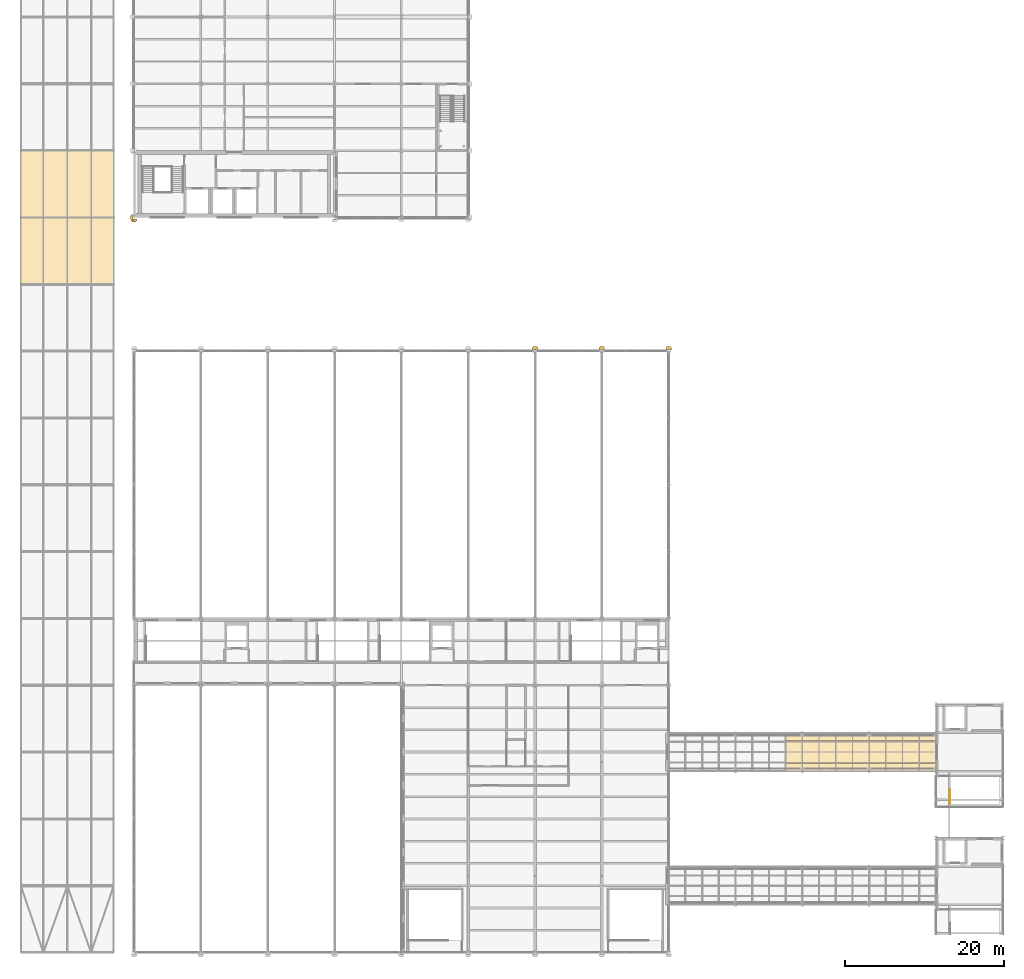
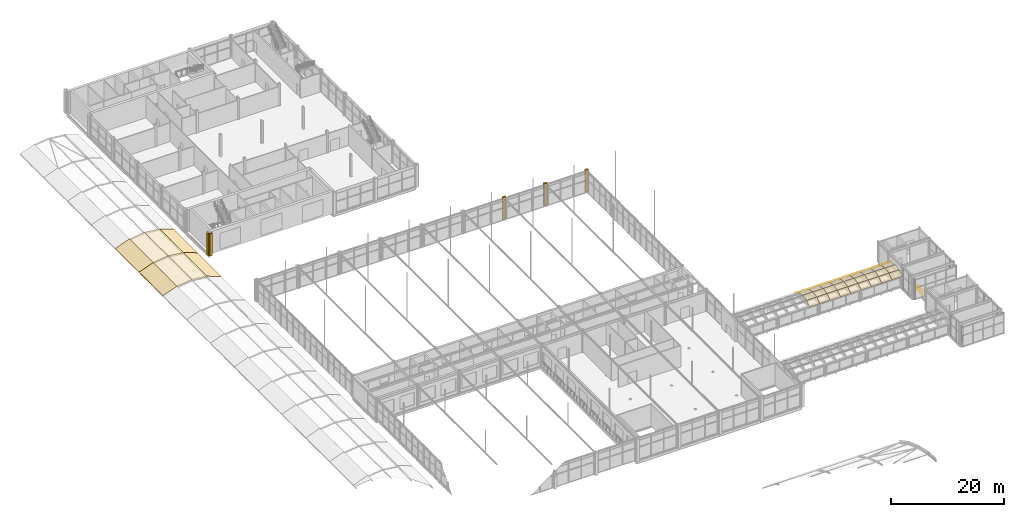
# One storey, part 162 of 167: 49 coverings, 1 railing.
"""IFC4 building model written with IfcOpenShell, lengths in metres."""

import ifcopenshell
import ifcopenshell.guid

model = None  # the IFC model being written
_history = None  # IfcOwnerHistory: only IFC2X3 demands one
_inside = {}  # id of a spatial element -> (the spatial element, [elements in it])
_under = {}  # id of a project, library or spatial element -> (it, [spatial elements below it])
_declared = {}  # id of a project -> (the project, [libraries it declares])
_typed = {}  # id of a type object -> (the type object, [elements of that type])
_made_of = {}  # id of a material, layer set ... -> (it, [elements and type objects made of it])


def new_model(schema):
    """Start an empty IFC model of exactly this schema.

    Asked for "IFC4X3", IfcOpenShell would pick the latest addendum, in which some entities
    have other attributes; the version numbers below select the first issue.
    IFC2X3 requires an IfcOwnerHistory on every rooted entity: one is made here for all.
    """
    global model, _history
    if schema == "IFC4X3":
        model = ifcopenshell.file(schema_version=(4, 3, 0, 0))
    else:
        model = ifcopenshell.file(schema=schema)
    _inside.clear()
    _under.clear()
    _declared.clear()
    _typed.clear()
    _made_of.clear()
    _history = None
    if model.schema == "IFC2X3":
        org = make("IfcOrganization", Name="unknown")
        user = make(
            "IfcPersonAndOrganization",
            ThePerson=make("IfcPerson", FamilyName="unknown"),
            TheOrganization=org,
        )
        app = make(
            "IfcApplication",
            ApplicationDeveloper=org,
            Version="unknown",
            ApplicationFullName="unknown",
            ApplicationIdentifier="unknown",
        )
        _history = make(
            "IfcOwnerHistory",
            OwningUser=user,
            OwningApplication=app,
            ChangeAction="ADDED",
            CreationDate=0,
        )
    return model


def make(cls, **values):
    """One entity of the class cls with the attributes given. An attribute that is None is left unset."""
    return model.create_entity(
        cls, **{name: value for name, value in values.items() if value is not None}
    )


def rooted(cls, **values):
    """An entity with a GlobalId (a new one), such as an element, a storey or a relation."""
    return make(cls, GlobalId=ifcopenshell.guid.new(), OwnerHistory=_history, **values)


def si_unit(unit_type, name, prefix=None):
    """IfcSIUnit, for example si_unit("LENGTHUNIT", "METRE", prefix="MILLI")."""
    return make("IfcSIUnit", UnitType=unit_type, Prefix=prefix, Name=name)


def assignment(units):
    """IfcUnitAssignment: the units of a project."""
    return None if units is None else make("IfcUnitAssignment", Units=units)


def point(xyz):
    """IfcCartesianPoint."""
    return None if xyz is None else make("IfcCartesianPoint", Coordinates=xyz)


def direction(xyz):
    """IfcDirection."""
    return None if xyz is None else make("IfcDirection", DirectionRatios=xyz)


def frame(location, z_axis=None, x_axis=None):
    """IfcAxis2Placement3D, a coordinate frame: its origin and axes. An axis left out is left unset."""
    return make(
        "IfcAxis2Placement3D",
        Location=point(location),
        Axis=direction(z_axis),
        RefDirection=direction(x_axis),
    )


def frame_2d(location, x_axis=None):
    """IfcAxis2Placement2D, a coordinate frame in the plane: its origin and x axis."""
    return make(
        "IfcAxis2Placement2D", Location=point(location), RefDirection=direction(x_axis)
    )


def origin():
    """The frame at (0, 0, 0) with its axes left unset."""
    return frame((0.0, 0.0, 0.0))


def origin_2d():
    """The frame at (0, 0) in the plane with its x axis left unset."""
    return frame_2d((0.0, 0.0))


def place(relative_to, where):
    """IfcLocalPlacement: puts the frame where relative to a parent placement (None: the world)."""
    return make(
        "IfcLocalPlacement", PlacementRelTo=relative_to, RelativePlacement=where
    )


def context(
    kind, dimensions, precision=None, world=None, true_north=None, identifier=None
):
    """IfcGeometricRepresentationContext, for example the 3D "Model" context."""
    return make(
        "IfcGeometricRepresentationContext",
        ContextIdentifier=identifier,
        ContextType=kind,
        CoordinateSpaceDimension=dimensions,
        Precision=precision,
        WorldCoordinateSystem=world,
        TrueNorth=true_north,
    )


def subcontext(parent, identifier, kind, view, scale=None):
    """IfcGeometricRepresentationSubContext, for example "Body" below "Model"."""
    return make(
        "IfcGeometricRepresentationSubContext",
        ContextIdentifier=identifier,
        ContextType=kind,
        ParentContext=parent,
        TargetScale=scale,
        TargetView=view,
    )


def project(units=None, contexts=None):
    """IfcProject with its units and contexts."""
    return rooted(
        "IfcProject",
        Name="project",
        RepresentationContexts=contexts,
        UnitsInContext=assignment(units),
    )


def spatial(cls, under=None, at=None, **own):
    """A site, building, storey or space (cls), placed at a placement, below another one or the project."""
    s = rooted(cls, ObjectPlacement=at, **own)
    if under is not None:
        _under.setdefault(under.id(), (under, []))[1].append(s)
    return s


def polyline(points):
    """IfcPolyline through the points."""
    return make("IfcPolyline", Points=[point(p) for p in points])


def profile(cls, at=None, kind="AREA", **sizes):
    """A parametric profile (cls). Its sizes go by their IFC names, for example OverallWidth=200.0."""
    return make(cls, ProfileType=kind, Position=at, **sizes)


def circle(**sizes):
    """IfcCircleProfileDef."""
    return profile("IfcCircleProfileDef", **sizes)


def outline(outer, holes=None, kind="AREA"):
    """IfcArbitraryClosedProfileDef: a profile drawn as a closed curve; with holes, ...WithVoids."""
    if holes is None:
        return make("IfcArbitraryClosedProfileDef", ProfileType=kind, OuterCurve=outer)
    return make(
        "IfcArbitraryProfileDefWithVoids",
        ProfileType=kind,
        OuterCurve=outer,
        InnerCurves=holes,
    )


def extrude(swept, where, along, depth):
    """IfcExtrudedAreaSolid: the profile swept, set in the frame where, extruded along a direction by depth."""
    return make(
        "IfcExtrudedAreaSolid",
        SweptArea=swept,
        Position=where,
        ExtrudedDirection=direction(along),
        Depth=depth,
    )


def shape(context_of_items, identifier, shape_type, items):
    """IfcShapeRepresentation: the items that make up one representation, for example the "Body"."""
    return make(
        "IfcShapeRepresentation",
        ContextOfItems=context_of_items,
        RepresentationIdentifier=identifier,
        RepresentationType=shape_type,
        Items=items,
    )


def material(Name=None, Category=None):
    """IfcMaterial."""
    return make("IfcMaterial", Name=Name, Category=Category)


def layer(
    of_material, thickness, ventilated=None, Name=None, Category=None, Priority=None
):
    """IfcMaterialLayer: one layer of a wall or slab, of a material (None: an air gap)."""
    return make(
        "IfcMaterialLayer",
        Material=of_material,
        LayerThickness=thickness,
        IsVentilated=ventilated,
        Name=Name,
        Category=Category,
        Priority=Priority,
    )


def layer_set(layers, Name=None):
    """IfcMaterialLayerSet."""
    return make("IfcMaterialLayerSet", MaterialLayers=layers, LayerSetName=Name)


def made_of(thing, what):
    """Note that an element or type object is made of a material, layer set ...; save() writes the relation."""
    if what is not None:
        _made_of.setdefault(what.id(), (what, []))[1].append(thing)
    return thing


def type_object(cls, material=None, **own):
    """A type object (cls), such as IfcWallType, which elements share."""
    return made_of(rooted(cls, **own), material)


def element(
    cls,
    number,
    at=None,
    inside=None,
    cuts=None,
    type_object=None,
    material=None,
    context=None,
    identifier="Body",
    shape_type=None,
    held_by="IfcProductDefinitionShape",
    body=None,
    shapes=None,
    **own,
):
    """One element of the class cls, such as IfcWall. Its Tag is "e" and its number.

    at: its placement. inside: the storey or other place that contains it. cuts: it is an
    opening in that element (IfcRelVoidsElement). A single representation is given by context,
    identifier, shape_type and body (its items); several are given by shapes. held_by: the class
    of the entity that holds the representations. save() writes the other relations.
    """
    e = rooted(cls, Tag="e%d" % number, ObjectPlacement=at, **own)
    if body is not None:
        shapes = [shape(context, identifier, shape_type, body)]
    if shapes is not None:
        e.Representation = make(held_by, Representations=shapes)
    if inside is not None:
        _inside.setdefault(inside.id(), (inside, []))[1].append(e)
    if cuts is not None:
        rooted(
            "IfcRelVoidsElement", RelatingBuildingElement=cuts, RelatedOpeningElement=e
        )
    if type_object is not None:
        _typed.setdefault(type_object.id(), (type_object, []))[1].append(e)
    return made_of(e, material)


def aggregate(whole, parts):
    """IfcRelAggregates: a whole, such as a stair, and the parts it consists of."""
    return rooted("IfcRelAggregates", RelatingObject=whole, RelatedObjects=parts)


def save(model, path):
    """Write the relations noted so far, then the file.

    IfcRelAggregates (storeys below a building ...), IfcRelContainedInSpatialStructure (elements
    in a storey), IfcRelDefinesByType, IfcRelAssociatesMaterial and IfcRelDeclares: one each for
    every whole, place, type object, material and project.
    """
    for whole, parts in _under.values():
        aggregate(whole, parts)
    for where, things in _inside.values():
        rooted(
            "IfcRelContainedInSpatialStructure",
            RelatedElements=things,
            RelatingStructure=where,
        )
    for kind, things in _typed.values():
        rooted("IfcRelDefinesByType", RelatedObjects=things, RelatingType=kind)
    for what, things in _made_of.values():
        rooted("IfcRelAssociatesMaterial", RelatedObjects=things, RelatingMaterial=what)
    for by, libraries in _declared.values():
        rooted("IfcRelDeclares", RelatingContext=by, RelatedDefinitions=libraries)
    model.write(path)


model = new_model("IFC4")

# Units and contexts
model_context = context("Model", 3, precision=1e-05, world=origin(), true_north=direction((0.0, 1.0)))
body_context = subcontext(model_context, "Body", "Model", "MODEL_VIEW")
ifc_project = project(units=[si_unit("LENGTHUNIT", "METRE"), si_unit("AREAUNIT", "SQUARE_METRE"), si_unit("VOLUMEUNIT", "CUBIC_METRE"), si_unit("PLANEANGLEUNIT", "RADIAN"), si_unit("MASSUNIT", "GRAM", prefix="KILO")], contexts=[model_context])

# Site, building, storey
site_placement = place(None, origin())
site = spatial("IfcSite", under=ifc_project, at=site_placement, CompositionType="ELEMENT")
building_placement = place(site_placement, origin())
building = spatial("IfcBuilding", under=site, at=building_placement, Name="Catenary Quay Ferry Terminal", CompositionType="ELEMENT")
storey_placement = place(building_placement, frame((0.0, 0.0, 6.0)))
storey = spatial("IfcBuildingStorey", under=building, at=storey_placement, Name="L01", CompositionType="ELEMENT", Elevation=6.0)

# Coverings
ifc_material_1 = material(Name="Ceramic tile")
ifc_layer_1 = layer(ifc_material_1, 0.0400390625)
ifc_layer_set_1 = layer_set([ifc_layer_1], Name="CL2")
covering_type_1 = type_object("IfcCoveringType", Name="CL2", PredefinedType="CLADDING", material=ifc_layer_set_1)
covering_1_placement = place(storey_placement, origin())
element("IfcCovering", 1, at=covering_1_placement, inside=storey, type_object=covering_type_1, Name="Ceramic pier casing", PredefinedType="CLADDING", context=body_context, shape_type="SweptSolid", body=[
    extrude(outline(polyline([(25.050048828125, 159.949951171875), (24.8701171875, 159.949951171875), (24.8701171875, 159.85009765625), (24.75, 159.85009765625), (24.75, 159.35009765625), (24.8701171875, 159.35009765625), (24.8701171875, 159.25), (25.050048828125, 159.25), (25.050048828125, 159.949951171875)])), origin(), (0.0, 0.0, 1.0), 4.800048828125),
])
covering_2_placement = place(storey_placement, origin())
element("IfcCovering", 2, at=covering_2_placement, inside=storey, type_object=covering_type_1, Name="Ceramic pier casing", PredefinedType="CLADDING", context=body_context, shape_type="SweptSolid", body=[
    extrude(outline(polyline([(24.85009765625, 159.35009765625), (24.85009765625, 159.169921875), (24.949951171875, 159.169921875), (24.949951171875, 159.050048828125), (25.449951171875, 159.050048828125), (25.449951171875, 159.169921875), (25.550048828125, 159.169921875), (25.550048828125, 159.35009765625), (24.85009765625, 159.35009765625)])), origin(), (0.0, 0.0, 1.0), 4.800048828125),
])
covering_3_placement = place(storey_placement, origin())
element("IfcCovering", 3, at=covering_3_placement, inside=storey, type_object=covering_type_1, Name="Ceramic pier casing", PredefinedType="CLADDING", context=body_context, shape_type="SweptSolid", body=[
    extrude(outline(polyline([(75.9541015625, 142.9541015625), (75.9541015625, 143.23388671875), (75.85400390625, 143.23388671875), (75.85400390625, 143.35400390625), (75.345947265625, 143.35400390625), (75.345947265625, 143.23388671875), (75.24609375, 143.23388671875), (75.24609375, 142.9541015625), (75.9541015625, 142.9541015625)])), origin(), (0.0, 0.0, 1.0), 4.800048828125),
])
covering_4_placement = place(storey_placement, origin())
element("IfcCovering", 4, at=covering_4_placement, inside=storey, type_object=covering_type_1, Name="Ceramic pier casing", PredefinedType="CLADDING", context=body_context, shape_type="SweptSolid", body=[
    extrude(outline(polyline([(84.35400390625, 142.9541015625), (84.35400390625, 143.23388671875), (84.25390625, 143.23388671875), (84.25390625, 143.35400390625), (83.74609375, 143.35400390625), (83.74609375, 143.23388671875), (83.64599609375, 143.23388671875), (83.64599609375, 142.9541015625), (84.35400390625, 142.9541015625)])), origin(), (0.0, 0.0, 1.0), 4.800048828125),
])
covering_5_placement = place(storey_placement, origin())
element("IfcCovering", 5, at=covering_5_placement, inside=storey, type_object=covering_type_1, Name="Ceramic pier casing", PredefinedType="CLADDING", context=body_context, shape_type="SweptSolid", body=[
    extrude(outline(polyline([(92.75390625, 142.9541015625), (92.75390625, 143.23388671875), (92.654052734375, 143.23388671875), (92.654052734375, 143.35400390625), (92.14599609375, 143.35400390625), (92.14599609375, 143.23388671875), (92.0458984375, 143.23388671875), (92.0458984375, 142.9541015625), (92.75390625, 142.9541015625)])), origin(), (0.0, 0.0, 1.0), 4.800048828125),
])

# Railing
ifc_material_2 = material(Name="Steel and glass", Category="steel")
railing_type = type_object("IfcRailingType", Name="GI1", PredefinedType="GUARDRAIL", material=ifc_material_2)
railing_placement = place(storey_placement, frame((127.800048828125, 85.89990234375, 0.0)))
element("IfcRailing", 6, at=railing_placement, inside=storey, type_object=railing_type, Name="HB2 well guard GI60", PredefinedType="GUARDRAIL", context=body_context, shape_type="SweptSolid", body=[
    extrude(circle(Radius=0.02392578125, at=origin_2d()), frame((0.0, 0.0, 1.076171875), z_axis=(0.0, 1.0, 0.0), x_axis=(-1.0, 0.0, 0.0)), (0.0, 0.0, 1.0), 1.800048828125),
    extrude(circle(Radius=0.02099609375, at=origin_2d()), origin(), (0.0, 0.0, 1.0), 1.052001953125),
    extrude(circle(Radius=0.02099609375, at=origin_2d()), frame((0.0, 0.89990234375, 0.0)), (0.0, 0.0, 1.0), 1.052001953125),
    extrude(circle(Radius=0.02099609375, at=origin_2d()), frame((0.0, 1.800048828125, 0.0)), (0.0, 0.0, 1.0), 1.052001953125),
])

# Coverings
ifc_material_3 = material(Name="Laminated glass", Category="glass")
ifc_layer_2 = layer(ifc_material_3, 0.030029296875)
ifc_layer_set_2 = layer_set([ifc_layer_2], Name="RF2")
covering_type_2 = type_object("IfcCoveringType", Name="RF2", PredefinedType="ROOFING", material=ifc_layer_set_2)
covering_6_placement = place(storey_placement, frame((10.858154296875, 151.199951171875, 1.2158203125), z_axis=(-0.346768604163, 0.0, 0.937950710414), x_axis=(0.0, 1.0, 0.0)))
element("IfcCovering", 7, at=covering_6_placement, inside=storey, type_object=covering_type_2, Name="Forecourt canopy roof", PredefinedType="ROOFING", context=body_context, shape_type="SweptSolid", body=[
    extrude(outline(polyline([(0.0, 0.0), (8.400146484375, 0.0), (8.400146484375, -3.0745635463365493), (0.0, -3.0745635463365493), (0.0, 0.0)])), origin(), (0.0, 0.0, -1.0), 0.031982421875),
])
covering_7_placement = place(storey_placement, frame((13.741943359375, 151.199951171875, 2.281982421875), z_axis=(-0.122181619395, 0.0, 0.992507759104), x_axis=(0.0, 1.0, 0.0)))
element("IfcCovering", 8, at=covering_7_placement, inside=storey, type_object=covering_type_2, Name="Forecourt canopy roof", PredefinedType="ROOFING", context=body_context, shape_type="SweptSolid", body=[
    extrude(outline(polyline([(0.0, 0.0), (8.400146484375, 0.0), (8.400146484375, -3.0811904901479834), (0.0, -3.0811904901479834), (0.0, 0.0)])), origin(), (0.0, 0.0, -1.0), 0.0302734375),
])
covering_8_placement = place(storey_placement, frame((16.800048828125, 151.199951171875, 2.658447265625), z_axis=(0.122191228771, 0.0, 0.992506576105), x_axis=(0.0, 1.0, 0.0)))
element("IfcCovering", 9, at=covering_8_placement, inside=storey, type_object=covering_type_2, Name="Forecourt canopy roof", PredefinedType="ROOFING", context=body_context, shape_type="SweptSolid", body=[
    extrude(outline(polyline([(0.0, 0.0), (8.400146484375, 0.0), (8.400146484375, -3.0809481788277613), (0.0, -3.0809481788277613), (0.0, 0.0)])), origin(), (0.0, 0.0, -1.0), 0.0302734375),
])
covering_9_placement = place(storey_placement, frame((19.85791015625, 151.199951171875, 2.281982421875), z_axis=(0.346768604163, 0.0, 0.937950710414), x_axis=(0.0, 1.0, 0.0)))
element("IfcCovering", 10, at=covering_9_placement, inside=storey, type_object=covering_type_2, Name="Forecourt canopy roof", PredefinedType="ROOFING", context=body_context, shape_type="SweptSolid", body=[
    extrude(outline(polyline([(0.0, 0.0), (8.400146484375, 0.0), (8.400146484375, -3.0745635463365493), (0.0, -3.0745635463365493), (0.0, 0.0)])), origin(), (0.0, 0.0, -1.0), 0.031982421875),
])
covering_10_placement = place(storey_placement, frame((10.858154296875, 159.60009765625, 1.2158203125), z_axis=(-0.346768604163, 0.0, 0.937950710414), x_axis=(0.0, 1.0, 0.0)))
element("IfcCovering", 11, at=covering_10_placement, inside=storey, type_object=covering_type_2, Name="Forecourt canopy roof", PredefinedType="ROOFING", context=body_context, shape_type="SweptSolid", body=[
    extrude(outline(polyline([(0.0, 0.0), (8.39990234375, 0.0), (8.39990234375, -3.0745635463365493), (0.0, -3.0745635463365493), (0.0, 0.0)])), origin(), (0.0, 0.0, -1.0), 0.031982421875),
])
covering_11_placement = place(storey_placement, frame((13.741943359375, 159.60009765625, 2.281982421875), z_axis=(-0.122181619395, 0.0, 0.992507759104), x_axis=(0.0, 1.0, 0.0)))
element("IfcCovering", 12, at=covering_11_placement, inside=storey, type_object=covering_type_2, Name="Forecourt canopy roof", PredefinedType="ROOFING", context=body_context, shape_type="SweptSolid", body=[
    extrude(outline(polyline([(0.0, 0.0), (8.39990234375, 0.0), (8.39990234375, -3.0811904901479834), (0.0, -3.0811904901479834), (0.0, 0.0)])), origin(), (0.0, 0.0, -1.0), 0.0302734375),
])
covering_12_placement = place(storey_placement, frame((16.800048828125, 159.60009765625, 2.658447265625), z_axis=(0.122191228771, 0.0, 0.992506576105), x_axis=(0.0, 1.0, 0.0)))
element("IfcCovering", 13, at=covering_12_placement, inside=storey, type_object=covering_type_2, Name="Forecourt canopy roof", PredefinedType="ROOFING", context=body_context, shape_type="SweptSolid", body=[
    extrude(outline(polyline([(0.0, 0.0), (8.39990234375, 0.0), (8.39990234375, -3.080948178827762), (0.0, -3.080948178827762), (0.0, 0.0)])), origin(), (0.0, 0.0, -1.0), 0.0302734375),
])
covering_13_placement = place(storey_placement, frame((19.85791015625, 159.60009765625, 2.281982421875), z_axis=(0.346768604163, 0.0, 0.937950710414), x_axis=(0.0, 1.0, 0.0)))
element("IfcCovering", 14, at=covering_13_placement, inside=storey, type_object=covering_type_2, Name="Forecourt canopy roof", PredefinedType="ROOFING", context=body_context, shape_type="SweptSolid", body=[
    extrude(outline(polyline([(0.0, 0.0), (8.39990234375, 0.0), (8.39990234375, -3.0745635463365493), (0.0, -3.0745635463365493), (0.0, 0.0)])), origin(), (0.0, 0.0, -1.0), 0.031982421875),
])
covering_14_placement = place(storey_placement, frame((107.10009765625, 89.888671875, 2.27099609375), z_axis=(0.0, -0.5454678985, 0.83813171501), x_axis=(1.0, 0.0, 0.0)))
element("IfcCovering", 15, at=covering_14_placement, inside=storey, type_object=covering_type_2, Name="Boarding Bridge 2 roof", PredefinedType="ROOFING", context=body_context, shape_type="SweptSolid", body=[
    extrude(outline(polyline([(0.0, 0.0), (2.099853515625, 0.0), (2.099853515625, 1.359748613601261), (0.0, 1.359748613601261), (0.0, 0.0)])), origin(), (0.0, 0.0, -1.0), 0.035888671875),
])
covering_15_placement = place(storey_placement, frame((107.10009765625, 91.0283203125, 3.0126953125), z_axis=(0.0, -0.211049761699, 0.977475318403), x_axis=(1.0, 0.0, 0.0)))
element("IfcCovering", 16, at=covering_15_placement, inside=storey, type_object=covering_type_2, Name="Boarding Bridge 2 roof", PredefinedType="ROOFING", context=body_context, shape_type="SweptSolid", body=[
    extrude(outline(polyline([(0.0, 0.0), (2.099853515625, 0.0), (2.099853515625, 1.4031884032539599), (0.0, 1.4031884032539599), (0.0, 0.0)])), origin(), (0.0, 0.0, -1.0), 0.03076171875),
])
covering_16_placement = place(storey_placement, frame((107.10009765625, 92.39990234375, 3.308837890625), z_axis=(0.0, 0.211013874249, 0.977483066285), x_axis=(1.0, 0.0, 0.0)))
element("IfcCovering", 17, at=covering_16_placement, inside=storey, type_object=covering_type_2, Name="Boarding Bridge 2 roof", PredefinedType="ROOFING", context=body_context, shape_type="SweptSolid", body=[
    extrude(outline(polyline([(0.0, 0.0), (2.099853515625, 0.0), (2.099853515625, 1.4034270456349838), (0.0, 1.4034270456349838), (0.0, 0.0)])), origin(), (0.0, 0.0, -1.0), 0.03076171875),
])
covering_17_placement = place(storey_placement, frame((107.10009765625, 93.771728515625, 3.0126953125), z_axis=(0.0, 0.5454678985, 0.83813171501), x_axis=(1.0, 0.0, 0.0)))
element("IfcCovering", 18, at=covering_17_placement, inside=storey, type_object=covering_type_2, Name="Boarding Bridge 2 roof", PredefinedType="ROOFING", context=body_context, shape_type="SweptSolid", body=[
    extrude(outline(polyline([(0.0, 0.0), (2.099853515625, 0.0), (2.099853515625, 1.359748613601261), (0.0, 1.359748613601261), (0.0, 0.0)])), origin(), (0.0, 0.0, -1.0), 0.035888671875),
])
covering_18_placement = place(storey_placement, frame((109.199951171875, 89.888671875, 2.27099609375), z_axis=(0.0, -0.5454678985, 0.83813171501), x_axis=(1.0, 0.0, 0.0)))
element("IfcCovering", 19, at=covering_18_placement, inside=storey, type_object=covering_type_2, Name="Boarding Bridge 2 roof", PredefinedType="ROOFING", context=body_context, shape_type="SweptSolid", body=[
    extrude(outline(polyline([(0.0, 0.0), (2.10009765625, 0.0), (2.10009765625, 1.359748613601261), (0.0, 1.359748613601261), (0.0, 0.0)])), origin(), (0.0, 0.0, -1.0), 0.035888671875),
])
covering_19_placement = place(storey_placement, frame((109.199951171875, 91.0283203125, 3.0126953125), z_axis=(0.0, -0.211049761699, 0.977475318403), x_axis=(1.0, 0.0, 0.0)))
element("IfcCovering", 20, at=covering_19_placement, inside=storey, type_object=covering_type_2, Name="Boarding Bridge 2 roof", PredefinedType="ROOFING", context=body_context, shape_type="SweptSolid", body=[
    extrude(outline(polyline([(0.0, 0.0), (2.10009765625, 0.0), (2.10009765625, 1.4031884032539599), (0.0, 1.4031884032539599), (0.0, 0.0)])), origin(), (0.0, 0.0, -1.0), 0.03076171875),
])
covering_20_placement = place(storey_placement, frame((109.199951171875, 92.39990234375, 3.308837890625), z_axis=(0.0, 0.211013874249, 0.977483066285), x_axis=(1.0, 0.0, 0.0)))
element("IfcCovering", 21, at=covering_20_placement, inside=storey, type_object=covering_type_2, Name="Boarding Bridge 2 roof", PredefinedType="ROOFING", context=body_context, shape_type="SweptSolid", body=[
    extrude(outline(polyline([(0.0, 0.0), (2.10009765625, 0.0), (2.10009765625, 1.4034270456349835), (0.0, 1.4034270456349835), (0.0, 0.0)])), origin(), (0.0, 0.0, -1.0), 0.03076171875),
])
covering_21_placement = place(storey_placement, frame((109.199951171875, 93.771728515625, 3.0126953125), z_axis=(0.0, 0.5454678985, 0.83813171501), x_axis=(1.0, 0.0, 0.0)))
element("IfcCovering", 22, at=covering_21_placement, inside=storey, type_object=covering_type_2, Name="Boarding Bridge 2 roof", PredefinedType="ROOFING", context=body_context, shape_type="SweptSolid", body=[
    extrude(outline(polyline([(0.0, 0.0), (2.10009765625, 0.0), (2.10009765625, 1.359748613601261), (0.0, 1.359748613601261), (0.0, 0.0)])), origin(), (0.0, 0.0, -1.0), 0.035888671875),
])
covering_22_placement = place(storey_placement, frame((111.300048828125, 89.888671875, 2.27099609375), z_axis=(0.0, -0.5454678985, 0.83813171501), x_axis=(1.0, 0.0, 0.0)))
element("IfcCovering", 23, at=covering_22_placement, inside=storey, type_object=covering_type_2, Name="Boarding Bridge 2 roof", PredefinedType="ROOFING", context=body_context, shape_type="SweptSolid", body=[
    extrude(outline(polyline([(0.0, 0.0), (2.099853515625, 0.0), (2.099853515625, 1.359748613601261), (0.0, 1.359748613601261), (0.0, 0.0)])), origin(), (0.0, 0.0, -1.0), 0.035888671875),
])
covering_23_placement = place(storey_placement, frame((111.300048828125, 91.0283203125, 3.0126953125), z_axis=(0.0, -0.211049761699, 0.977475318403), x_axis=(1.0, 0.0, 0.0)))
element("IfcCovering", 24, at=covering_23_placement, inside=storey, type_object=covering_type_2, Name="Boarding Bridge 2 roof", PredefinedType="ROOFING", context=body_context, shape_type="SweptSolid", body=[
    extrude(outline(polyline([(0.0, 0.0), (2.099853515625, 0.0), (2.099853515625, 1.4031884032539599), (0.0, 1.4031884032539599), (0.0, 0.0)])), origin(), (0.0, 0.0, -1.0), 0.03076171875),
])
covering_24_placement = place(storey_placement, frame((111.300048828125, 92.39990234375, 3.308837890625), z_axis=(0.0, 0.211013874249, 0.977483066285), x_axis=(1.0, 0.0, 0.0)))
element("IfcCovering", 25, at=covering_24_placement, inside=storey, type_object=covering_type_2, Name="Boarding Bridge 2 roof", PredefinedType="ROOFING", context=body_context, shape_type="SweptSolid", body=[
    extrude(outline(polyline([(0.0, 0.0), (2.099853515625, 0.0), (2.099853515625, 1.4034270456349838), (0.0, 1.4034270456349838), (0.0, 0.0)])), origin(), (0.0, 0.0, -1.0), 0.03076171875),
])
covering_25_placement = place(storey_placement, frame((111.300048828125, 93.771728515625, 3.0126953125), z_axis=(0.0, 0.5454678985, 0.83813171501), x_axis=(1.0, 0.0, 0.0)))
element("IfcCovering", 26, at=covering_25_placement, inside=storey, type_object=covering_type_2, Name="Boarding Bridge 2 roof", PredefinedType="ROOFING", context=body_context, shape_type="SweptSolid", body=[
    extrude(outline(polyline([(0.0, 0.0), (2.099853515625, 0.0), (2.099853515625, 1.359748613601261), (0.0, 1.359748613601261), (0.0, 0.0)])), origin(), (0.0, 0.0, -1.0), 0.035888671875),
])
covering_26_placement = place(storey_placement, frame((113.39990234375, 89.888671875, 2.27099609375), z_axis=(0.0, -0.5454678985, 0.83813171501), x_axis=(1.0, 0.0, 0.0)))
element("IfcCovering", 27, at=covering_26_placement, inside=storey, type_object=covering_type_2, Name="Boarding Bridge 2 roof", PredefinedType="ROOFING", context=body_context, shape_type="SweptSolid", body=[
    extrude(outline(polyline([(0.0, 0.0), (2.10009765625, 0.0), (2.10009765625, 1.359748613601261), (0.0, 1.359748613601261), (0.0, 0.0)])), origin(), (0.0, 0.0, -1.0), 0.035888671875),
])
covering_27_placement = place(storey_placement, frame((113.39990234375, 91.0283203125, 3.0126953125), z_axis=(0.0, -0.211049761699, 0.977475318403), x_axis=(1.0, 0.0, 0.0)))
element("IfcCovering", 28, at=covering_27_placement, inside=storey, type_object=covering_type_2, Name="Boarding Bridge 2 roof", PredefinedType="ROOFING", context=body_context, shape_type="SweptSolid", body=[
    extrude(outline(polyline([(0.0, 0.0), (2.10009765625, 0.0), (2.10009765625, 1.4031884032539599), (0.0, 1.4031884032539599), (0.0, 0.0)])), origin(), (0.0, 0.0, -1.0), 0.03076171875),
])
covering_28_placement = place(storey_placement, frame((113.39990234375, 92.39990234375, 3.308837890625), z_axis=(0.0, 0.211013874249, 0.977483066285), x_axis=(1.0, 0.0, 0.0)))
element("IfcCovering", 29, at=covering_28_placement, inside=storey, type_object=covering_type_2, Name="Boarding Bridge 2 roof", PredefinedType="ROOFING", context=body_context, shape_type="SweptSolid", body=[
    extrude(outline(polyline([(0.0, 0.0), (2.10009765625, 0.0), (2.10009765625, 1.4034270456349835), (0.0, 1.4034270456349835), (0.0, 0.0)])), origin(), (0.0, 0.0, -1.0), 0.03076171875),
])
for number, where, z_axis, x_axis, name in (
    (30, (113.39990234375, 93.771728515625, 3.0126953125), (0.0, 0.5454678985, 0.83813171501), (1.0, 0.0, 0.0), "Boarding Bridge 2 roof"),
    (31, (115.5, 89.888671875, 2.27099609375), (0.0, -0.5454678985, 0.83813171501), (1.0, 0.0, 0.0), "Boarding Bridge 2 roof"),
):
    element("IfcCovering", number, at=place(storey_placement, frame(where, z_axis=z_axis, x_axis=x_axis)), inside=storey, type_object=covering_type_2, Name=name, PredefinedType="ROOFING", context=body_context, shape_type="SweptSolid", body=[
        extrude(outline(polyline([(0.0, 0.0), (2.10009765625, 0.0), (2.10009765625, 1.359748613601261), (0.0, 1.359748613601261), (0.0, 0.0)])), origin(), (0.0, 0.0, -1.0), 0.035888671875),
    ])
covering_29_placement = place(storey_placement, frame((115.5, 91.0283203125, 3.0126953125), z_axis=(0.0, -0.211049761699, 0.977475318403), x_axis=(1.0, 0.0, 0.0)))
element("IfcCovering", 32, at=covering_29_placement, inside=storey, type_object=covering_type_2, Name="Boarding Bridge 2 roof", PredefinedType="ROOFING", context=body_context, shape_type="SweptSolid", body=[
    extrude(outline(polyline([(0.0, 0.0), (2.10009765625, 0.0), (2.10009765625, 1.4031884032539599), (0.0, 1.4031884032539599), (0.0, 0.0)])), origin(), (0.0, 0.0, -1.0), 0.03076171875),
])
covering_30_placement = place(storey_placement, frame((115.5, 92.39990234375, 3.308837890625), z_axis=(0.0, 0.211013874249, 0.977483066285), x_axis=(1.0, 0.0, 0.0)))
element("IfcCovering", 33, at=covering_30_placement, inside=storey, type_object=covering_type_2, Name="Boarding Bridge 2 roof", PredefinedType="ROOFING", context=body_context, shape_type="SweptSolid", body=[
    extrude(outline(polyline([(0.0, 0.0), (2.10009765625, 0.0), (2.10009765625, 1.4034270456349835), (0.0, 1.4034270456349835), (0.0, 0.0)])), origin(), (0.0, 0.0, -1.0), 0.03076171875),
])
covering_31_placement = place(storey_placement, frame((115.5, 93.771728515625, 3.0126953125), z_axis=(0.0, 0.5454678985, 0.83813171501), x_axis=(1.0, 0.0, 0.0)))
element("IfcCovering", 34, at=covering_31_placement, inside=storey, type_object=covering_type_2, Name="Boarding Bridge 2 roof", PredefinedType="ROOFING", context=body_context, shape_type="SweptSolid", body=[
    extrude(outline(polyline([(0.0, 0.0), (2.10009765625, 0.0), (2.10009765625, 1.359748613601261), (0.0, 1.359748613601261), (0.0, 0.0)])), origin(), (0.0, 0.0, -1.0), 0.035888671875),
])
covering_32_placement = place(storey_placement, frame((117.60009765625, 89.888671875, 2.27099609375), z_axis=(0.0, -0.5454678985, 0.83813171501), x_axis=(1.0, 0.0, 0.0)))
element("IfcCovering", 35, at=covering_32_placement, inside=storey, type_object=covering_type_2, Name="Boarding Bridge 2 roof", PredefinedType="ROOFING", context=body_context, shape_type="SweptSolid", body=[
    extrude(outline(polyline([(0.0, 0.0), (2.099853515625, 0.0), (2.099853515625, 1.359748613601261), (0.0, 1.359748613601261), (0.0, 0.0)])), origin(), (0.0, 0.0, -1.0), 0.035888671875),
])
covering_33_placement = place(storey_placement, frame((117.60009765625, 91.0283203125, 3.0126953125), z_axis=(0.0, -0.211049761699, 0.977475318403), x_axis=(1.0, 0.0, 0.0)))
element("IfcCovering", 36, at=covering_33_placement, inside=storey, type_object=covering_type_2, Name="Boarding Bridge 2 roof", PredefinedType="ROOFING", context=body_context, shape_type="SweptSolid", body=[
    extrude(outline(polyline([(0.0, 0.0), (2.099853515625, 0.0), (2.099853515625, 1.4031884032539599), (0.0, 1.4031884032539599), (0.0, 0.0)])), origin(), (0.0, 0.0, -1.0), 0.03076171875),
])
covering_34_placement = place(storey_placement, frame((117.60009765625, 92.39990234375, 3.308837890625), z_axis=(0.0, 0.211013874249, 0.977483066285), x_axis=(1.0, 0.0, 0.0)))
element("IfcCovering", 37, at=covering_34_placement, inside=storey, type_object=covering_type_2, Name="Boarding Bridge 2 roof", PredefinedType="ROOFING", context=body_context, shape_type="SweptSolid", body=[
    extrude(outline(polyline([(0.0, 0.0), (2.099853515625, 0.0), (2.099853515625, 1.4034270456349838), (0.0, 1.4034270456349838), (0.0, 0.0)])), origin(), (0.0, 0.0, -1.0), 0.03076171875),
])
covering_35_placement = place(storey_placement, frame((117.60009765625, 93.771728515625, 3.0126953125), z_axis=(0.0, 0.5454678985, 0.83813171501), x_axis=(1.0, 0.0, 0.0)))
element("IfcCovering", 38, at=covering_35_placement, inside=storey, type_object=covering_type_2, Name="Boarding Bridge 2 roof", PredefinedType="ROOFING", context=body_context, shape_type="SweptSolid", body=[
    extrude(outline(polyline([(0.0, 0.0), (2.099853515625, 0.0), (2.099853515625, 1.359748613601261), (0.0, 1.359748613601261), (0.0, 0.0)])), origin(), (0.0, 0.0, -1.0), 0.035888671875),
])
covering_36_placement = place(storey_placement, frame((119.699951171875, 89.888671875, 2.27099609375), z_axis=(0.0, -0.5454678985, 0.83813171501), x_axis=(1.0, 0.0, 0.0)))
element("IfcCovering", 39, at=covering_36_placement, inside=storey, type_object=covering_type_2, Name="Boarding Bridge 2 roof", PredefinedType="ROOFING", context=body_context, shape_type="SweptSolid", body=[
    extrude(outline(polyline([(0.0, 0.0), (2.10009765625, 0.0), (2.10009765625, 1.359748613601261), (0.0, 1.359748613601261), (0.0, 0.0)])), origin(), (0.0, 0.0, -1.0), 0.035888671875),
])
covering_37_placement = place(storey_placement, frame((119.699951171875, 91.0283203125, 3.0126953125), z_axis=(0.0, -0.211049761699, 0.977475318403), x_axis=(1.0, 0.0, 0.0)))
element("IfcCovering", 40, at=covering_37_placement, inside=storey, type_object=covering_type_2, Name="Boarding Bridge 2 roof", PredefinedType="ROOFING", context=body_context, shape_type="SweptSolid", body=[
    extrude(outline(polyline([(0.0, 0.0), (2.10009765625, 0.0), (2.10009765625, 1.4031884032539599), (0.0, 1.4031884032539599), (0.0, 0.0)])), origin(), (0.0, 0.0, -1.0), 0.03076171875),
])
covering_38_placement = place(storey_placement, frame((119.699951171875, 92.39990234375, 3.308837890625), z_axis=(0.0, 0.211013874249, 0.977483066285), x_axis=(1.0, 0.0, 0.0)))
element("IfcCovering", 41, at=covering_38_placement, inside=storey, type_object=covering_type_2, Name="Boarding Bridge 2 roof", PredefinedType="ROOFING", context=body_context, shape_type="SweptSolid", body=[
    extrude(outline(polyline([(0.0, 0.0), (2.10009765625, 0.0), (2.10009765625, 1.4034270456349835), (0.0, 1.4034270456349835), (0.0, 0.0)])), origin(), (0.0, 0.0, -1.0), 0.03076171875),
])
covering_39_placement = place(storey_placement, frame((119.699951171875, 93.771728515625, 3.0126953125), z_axis=(0.0, 0.5454678985, 0.83813171501), x_axis=(1.0, 0.0, 0.0)))
element("IfcCovering", 42, at=covering_39_placement, inside=storey, type_object=covering_type_2, Name="Boarding Bridge 2 roof", PredefinedType="ROOFING", context=body_context, shape_type="SweptSolid", body=[
    extrude(outline(polyline([(0.0, 0.0), (2.10009765625, 0.0), (2.10009765625, 1.359748613601261), (0.0, 1.359748613601261), (0.0, 0.0)])), origin(), (0.0, 0.0, -1.0), 0.035888671875),
])
covering_40_placement = place(storey_placement, frame((121.800048828125, 89.888671875, 2.27099609375), z_axis=(0.0, -0.5454678985, 0.83813171501), x_axis=(1.0, 0.0, 0.0)))
element("IfcCovering", 43, at=covering_40_placement, inside=storey, type_object=covering_type_2, Name="Boarding Bridge 2 roof", PredefinedType="ROOFING", context=body_context, shape_type="SweptSolid", body=[
    extrude(outline(polyline([(0.0, 0.0), (2.099853515625, 0.0), (2.099853515625, 1.359748613601261), (0.0, 1.359748613601261), (0.0, 0.0)])), origin(), (0.0, 0.0, -1.0), 0.035888671875),
])
covering_41_placement = place(storey_placement, frame((121.800048828125, 91.0283203125, 3.0126953125), z_axis=(0.0, -0.211049761699, 0.977475318403), x_axis=(1.0, 0.0, 0.0)))
element("IfcCovering", 44, at=covering_41_placement, inside=storey, type_object=covering_type_2, Name="Boarding Bridge 2 roof", PredefinedType="ROOFING", context=body_context, shape_type="SweptSolid", body=[
    extrude(outline(polyline([(0.0, 0.0), (2.099853515625, 0.0), (2.099853515625, 1.4031884032539599), (0.0, 1.4031884032539599), (0.0, 0.0)])), origin(), (0.0, 0.0, -1.0), 0.03076171875),
])
covering_42_placement = place(storey_placement, frame((121.800048828125, 92.39990234375, 3.308837890625), z_axis=(0.0, 0.211013874249, 0.977483066285), x_axis=(1.0, 0.0, 0.0)))
element("IfcCovering", 45, at=covering_42_placement, inside=storey, type_object=covering_type_2, Name="Boarding Bridge 2 roof", PredefinedType="ROOFING", context=body_context, shape_type="SweptSolid", body=[
    extrude(outline(polyline([(0.0, 0.0), (2.099853515625, 0.0), (2.099853515625, 1.4034270456349838), (0.0, 1.4034270456349838), (0.0, 0.0)])), origin(), (0.0, 0.0, -1.0), 0.03076171875),
])
covering_43_placement = place(storey_placement, frame((121.800048828125, 93.771728515625, 3.0126953125), z_axis=(0.0, 0.5454678985, 0.83813171501), x_axis=(1.0, 0.0, 0.0)))
element("IfcCovering", 46, at=covering_43_placement, inside=storey, type_object=covering_type_2, Name="Boarding Bridge 2 roof", PredefinedType="ROOFING", context=body_context, shape_type="SweptSolid", body=[
    extrude(outline(polyline([(0.0, 0.0), (2.099853515625, 0.0), (2.099853515625, 1.359748613601261), (0.0, 1.359748613601261), (0.0, 0.0)])), origin(), (0.0, 0.0, -1.0), 0.035888671875),
])
covering_44_placement = place(storey_placement, frame((123.89990234375, 89.888671875, 2.27099609375), z_axis=(0.0, -0.5454678985, 0.83813171501), x_axis=(1.0, 0.0, 0.0)))
element("IfcCovering", 47, at=covering_44_placement, inside=storey, type_object=covering_type_2, Name="Boarding Bridge 2 roof", PredefinedType="ROOFING", context=body_context, shape_type="SweptSolid", body=[
    extrude(outline(polyline([(0.0, 0.0), (2.10009765625, 0.0), (2.10009765625, 1.359748613601261), (0.0, 1.359748613601261), (0.0, 0.0)])), origin(), (0.0, 0.0, -1.0), 0.035888671875),
])
covering_45_placement = place(storey_placement, frame((123.89990234375, 91.0283203125, 3.0126953125), z_axis=(0.0, -0.211049761699, 0.977475318403), x_axis=(1.0, 0.0, 0.0)))
element("IfcCovering", 48, at=covering_45_placement, inside=storey, type_object=covering_type_2, Name="Boarding Bridge 2 roof", PredefinedType="ROOFING", context=body_context, shape_type="SweptSolid", body=[
    extrude(outline(polyline([(0.0, 0.0), (2.10009765625, 0.0), (2.10009765625, 1.4031884032539599), (0.0, 1.4031884032539599), (0.0, 0.0)])), origin(), (0.0, 0.0, -1.0), 0.03076171875),
])
covering_46_placement = place(storey_placement, frame((123.89990234375, 92.39990234375, 3.308837890625), z_axis=(0.0, 0.211013874249, 0.977483066285), x_axis=(1.0, 0.0, 0.0)))
element("IfcCovering", 49, at=covering_46_placement, inside=storey, type_object=covering_type_2, Name="Boarding Bridge 2 roof", PredefinedType="ROOFING", context=body_context, shape_type="SweptSolid", body=[
    extrude(outline(polyline([(0.0, 0.0), (2.10009765625, 0.0), (2.10009765625, 1.4034270456349835), (0.0, 1.4034270456349835), (0.0, 0.0)])), origin(), (0.0, 0.0, -1.0), 0.03076171875),
])
covering_47_placement = place(storey_placement, frame((123.89990234375, 93.771728515625, 3.0126953125), z_axis=(0.0, 0.5454678985, 0.83813171501), x_axis=(1.0, 0.0, 0.0)))
element("IfcCovering", 50, at=covering_47_placement, inside=storey, type_object=covering_type_2, Name="Boarding Bridge 2 roof", PredefinedType="ROOFING", context=body_context, shape_type="SweptSolid", body=[
    extrude(outline(polyline([(0.0, 0.0), (2.10009765625, 0.0), (2.10009765625, 1.359748613601261), (0.0, 1.359748613601261), (0.0, 0.0)])), origin(), (0.0, 0.0, -1.0), 0.035888671875),
])

save(model, "model.ifc")
